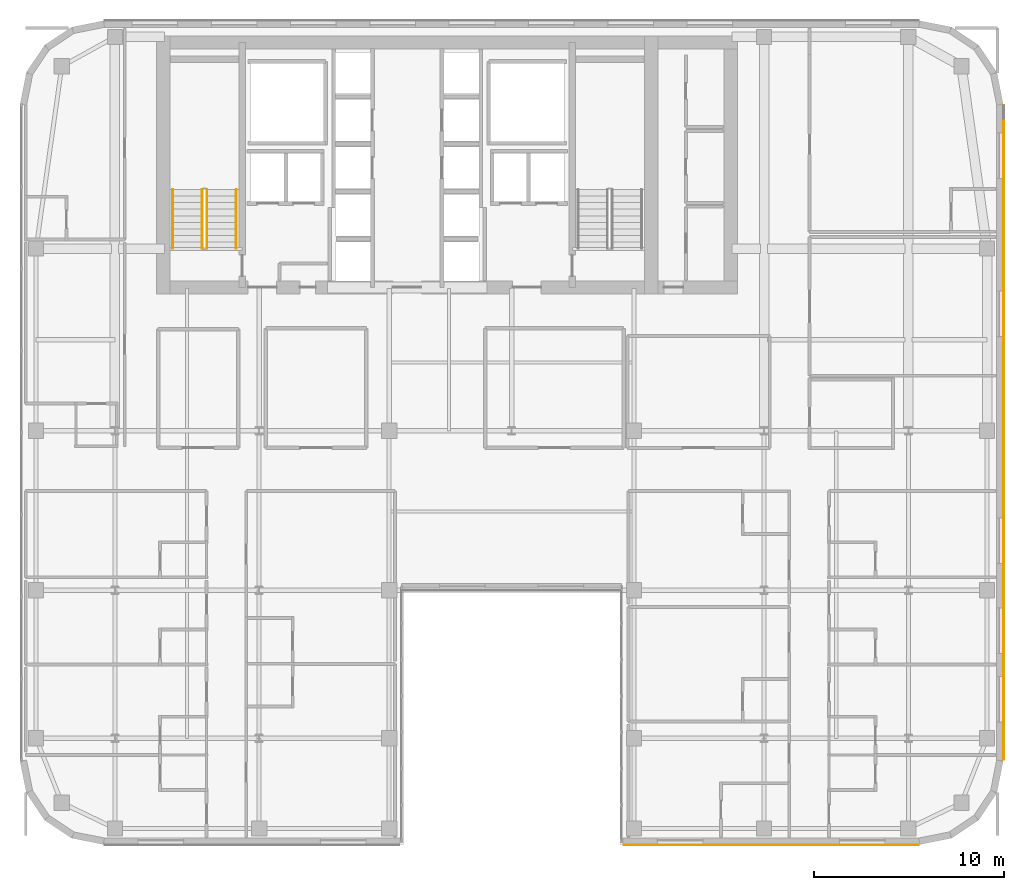
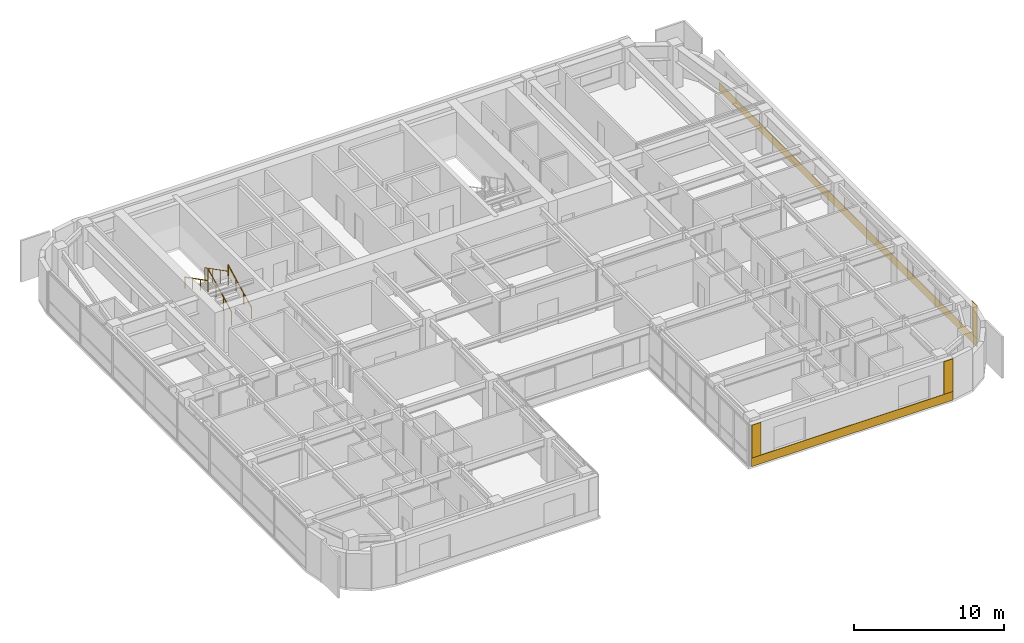
# One storey, part 26 of 28: 5 coverings, 4 railings.
"""IFC4 building model written with IfcOpenShell, lengths in metres."""

import ifcopenshell
import ifcopenshell.guid

model = None  # the IFC model being written
_history = None  # IfcOwnerHistory: only IFC2X3 demands one
_inside = {}  # id of a spatial element -> (the spatial element, [elements in it])
_under = {}  # id of a project, library or spatial element -> (it, [spatial elements below it])
_declared = {}  # id of a project -> (the project, [libraries it declares])
_typed = {}  # id of a type object -> (the type object, [elements of that type])
_made_of = {}  # id of a material, layer set ... -> (it, [elements and type objects made of it])


def new_model(schema):
    """Start an empty IFC model of exactly this schema.

    Asked for "IFC4X3", IfcOpenShell would pick the latest addendum, in which some entities
    have other attributes; the version numbers below select the first issue.
    IFC2X3 requires an IfcOwnerHistory on every rooted entity: one is made here for all.
    """
    global model, _history
    if schema == "IFC4X3":
        model = ifcopenshell.file(schema_version=(4, 3, 0, 0))
    else:
        model = ifcopenshell.file(schema=schema)
    _inside.clear()
    _under.clear()
    _declared.clear()
    _typed.clear()
    _made_of.clear()
    _history = None
    if model.schema == "IFC2X3":
        org = make("IfcOrganization", Name="unknown")
        user = make(
            "IfcPersonAndOrganization",
            ThePerson=make("IfcPerson", FamilyName="unknown"),
            TheOrganization=org,
        )
        app = make(
            "IfcApplication",
            ApplicationDeveloper=org,
            Version="unknown",
            ApplicationFullName="unknown",
            ApplicationIdentifier="unknown",
        )
        _history = make(
            "IfcOwnerHistory",
            OwningUser=user,
            OwningApplication=app,
            ChangeAction="ADDED",
            CreationDate=0,
        )
    return model


def make(cls, **values):
    """One entity of the class cls with the attributes given. An attribute that is None is left unset."""
    return model.create_entity(
        cls, **{name: value for name, value in values.items() if value is not None}
    )


def rooted(cls, **values):
    """An entity with a GlobalId (a new one), such as an element, a storey or a relation."""
    return make(cls, GlobalId=ifcopenshell.guid.new(), OwnerHistory=_history, **values)


def si_unit(unit_type, name, prefix=None):
    """IfcSIUnit, for example si_unit("LENGTHUNIT", "METRE", prefix="MILLI")."""
    return make("IfcSIUnit", UnitType=unit_type, Prefix=prefix, Name=name)


def assignment(units):
    """IfcUnitAssignment: the units of a project."""
    return None if units is None else make("IfcUnitAssignment", Units=units)


def point(xyz):
    """IfcCartesianPoint."""
    return None if xyz is None else make("IfcCartesianPoint", Coordinates=xyz)


def direction(xyz):
    """IfcDirection."""
    return None if xyz is None else make("IfcDirection", DirectionRatios=xyz)


def frame(location, z_axis=None, x_axis=None):
    """IfcAxis2Placement3D, a coordinate frame: its origin and axes. An axis left out is left unset."""
    return make(
        "IfcAxis2Placement3D",
        Location=point(location),
        Axis=direction(z_axis),
        RefDirection=direction(x_axis),
    )


def frame_2d(location, x_axis=None):
    """IfcAxis2Placement2D, a coordinate frame in the plane: its origin and x axis."""
    return make(
        "IfcAxis2Placement2D", Location=point(location), RefDirection=direction(x_axis)
    )


def origin():
    """The frame at (0, 0, 0) with its axes left unset."""
    return frame((0.0, 0.0, 0.0))


def origin_2d():
    """The frame at (0, 0) in the plane with its x axis left unset."""
    return frame_2d((0.0, 0.0))


def place(relative_to, where):
    """IfcLocalPlacement: puts the frame where relative to a parent placement (None: the world)."""
    return make(
        "IfcLocalPlacement", PlacementRelTo=relative_to, RelativePlacement=where
    )


def context(
    kind, dimensions, precision=None, world=None, true_north=None, identifier=None
):
    """IfcGeometricRepresentationContext, for example the 3D "Model" context."""
    return make(
        "IfcGeometricRepresentationContext",
        ContextIdentifier=identifier,
        ContextType=kind,
        CoordinateSpaceDimension=dimensions,
        Precision=precision,
        WorldCoordinateSystem=world,
        TrueNorth=true_north,
    )


def subcontext(parent, identifier, kind, view, scale=None):
    """IfcGeometricRepresentationSubContext, for example "Body" below "Model"."""
    return make(
        "IfcGeometricRepresentationSubContext",
        ContextIdentifier=identifier,
        ContextType=kind,
        ParentContext=parent,
        TargetScale=scale,
        TargetView=view,
    )


def project(units=None, contexts=None):
    """IfcProject with its units and contexts."""
    return rooted(
        "IfcProject",
        Name="project",
        RepresentationContexts=contexts,
        UnitsInContext=assignment(units),
    )


def spatial(cls, under=None, at=None, **own):
    """A site, building, storey or space (cls), placed at a placement, below another one or the project."""
    s = rooted(cls, ObjectPlacement=at, **own)
    if under is not None:
        _under.setdefault(under.id(), (under, []))[1].append(s)
    return s


def polyline(points):
    """IfcPolyline through the points."""
    return make("IfcPolyline", Points=[point(p) for p in points])


def profile(cls, at=None, kind="AREA", **sizes):
    """A parametric profile (cls). Its sizes go by their IFC names, for example OverallWidth=200.0."""
    return make(cls, ProfileType=kind, Position=at, **sizes)


def circle(**sizes):
    """IfcCircleProfileDef."""
    return profile("IfcCircleProfileDef", **sizes)


def outline(outer, holes=None, kind="AREA"):
    """IfcArbitraryClosedProfileDef: a profile drawn as a closed curve; with holes, ...WithVoids."""
    if holes is None:
        return make("IfcArbitraryClosedProfileDef", ProfileType=kind, OuterCurve=outer)
    return make(
        "IfcArbitraryProfileDefWithVoids",
        ProfileType=kind,
        OuterCurve=outer,
        InnerCurves=holes,
    )


def extrude(swept, where, along, depth):
    """IfcExtrudedAreaSolid: the profile swept, set in the frame where, extruded along a direction by depth."""
    return make(
        "IfcExtrudedAreaSolid",
        SweptArea=swept,
        Position=where,
        ExtrudedDirection=direction(along),
        Depth=depth,
    )


def shape(context_of_items, identifier, shape_type, items):
    """IfcShapeRepresentation: the items that make up one representation, for example the "Body"."""
    return make(
        "IfcShapeRepresentation",
        ContextOfItems=context_of_items,
        RepresentationIdentifier=identifier,
        RepresentationType=shape_type,
        Items=items,
    )


def material(Name=None, Category=None):
    """IfcMaterial."""
    return make("IfcMaterial", Name=Name, Category=Category)


def layer(
    of_material, thickness, ventilated=None, Name=None, Category=None, Priority=None
):
    """IfcMaterialLayer: one layer of a wall or slab, of a material (None: an air gap)."""
    return make(
        "IfcMaterialLayer",
        Material=of_material,
        LayerThickness=thickness,
        IsVentilated=ventilated,
        Name=Name,
        Category=Category,
        Priority=Priority,
    )


def layer_set(layers, Name=None):
    """IfcMaterialLayerSet."""
    return make("IfcMaterialLayerSet", MaterialLayers=layers, LayerSetName=Name)


def made_of(thing, what):
    """Note that an element or type object is made of a material, layer set ...; save() writes the relation."""
    if what is not None:
        _made_of.setdefault(what.id(), (what, []))[1].append(thing)
    return thing


def type_object(cls, material=None, **own):
    """A type object (cls), such as IfcWallType, which elements share."""
    return made_of(rooted(cls, **own), material)


def element(
    cls,
    number,
    at=None,
    inside=None,
    cuts=None,
    type_object=None,
    material=None,
    context=None,
    identifier="Body",
    shape_type=None,
    held_by="IfcProductDefinitionShape",
    body=None,
    shapes=None,
    **own,
):
    """One element of the class cls, such as IfcWall. Its Tag is "e" and its number.

    at: its placement. inside: the storey or other place that contains it. cuts: it is an
    opening in that element (IfcRelVoidsElement). A single representation is given by context,
    identifier, shape_type and body (its items); several are given by shapes. held_by: the class
    of the entity that holds the representations. save() writes the other relations.
    """
    e = rooted(cls, Tag="e%d" % number, ObjectPlacement=at, **own)
    if body is not None:
        shapes = [shape(context, identifier, shape_type, body)]
    if shapes is not None:
        e.Representation = make(held_by, Representations=shapes)
    if inside is not None:
        _inside.setdefault(inside.id(), (inside, []))[1].append(e)
    if cuts is not None:
        rooted(
            "IfcRelVoidsElement", RelatingBuildingElement=cuts, RelatedOpeningElement=e
        )
    if type_object is not None:
        _typed.setdefault(type_object.id(), (type_object, []))[1].append(e)
    return made_of(e, material)


def aggregate(whole, parts):
    """IfcRelAggregates: a whole, such as a stair, and the parts it consists of."""
    return rooted("IfcRelAggregates", RelatingObject=whole, RelatedObjects=parts)


def save(model, path):
    """Write the relations noted so far, then the file.

    IfcRelAggregates (storeys below a building ...), IfcRelContainedInSpatialStructure (elements
    in a storey), IfcRelDefinesByType, IfcRelAssociatesMaterial and IfcRelDeclares: one each for
    every whole, place, type object, material and project.
    """
    for whole, parts in _under.values():
        aggregate(whole, parts)
    for where, things in _inside.values():
        rooted(
            "IfcRelContainedInSpatialStructure",
            RelatedElements=things,
            RelatingStructure=where,
        )
    for kind, things in _typed.values():
        rooted("IfcRelDefinesByType", RelatedObjects=things, RelatingType=kind)
    for what, things in _made_of.values():
        rooted("IfcRelAssociatesMaterial", RelatedObjects=things, RelatingMaterial=what)
    for by, libraries in _declared.values():
        rooted("IfcRelDeclares", RelatingContext=by, RelatedDefinitions=libraries)
    model.write(path)


model = new_model("IFC4")

# Units and contexts
model_context = context("Model", 3, precision=1e-05, world=origin(), true_north=direction((0.0, 1.0)))
body_context = subcontext(model_context, "Body", "Model", "MODEL_VIEW")
ifc_project = project(units=[si_unit("LENGTHUNIT", "METRE"), si_unit("AREAUNIT", "SQUARE_METRE"), si_unit("VOLUMEUNIT", "CUBIC_METRE"), si_unit("PLANEANGLEUNIT", "RADIAN"), si_unit("MASSUNIT", "GRAM", prefix="KILO")], contexts=[model_context])

# Site, building, storey
site_placement = place(None, origin())
site = spatial("IfcSite", under=ifc_project, at=site_placement, CompositionType="ELEMENT")
building_placement = place(site_placement, origin())
building = spatial("IfcBuilding", under=site, at=building_placement, Name="Tolvann Quenvar Hotel", CompositionType="ELEMENT")
storey_placement = place(building_placement, frame((0.0, 0.0, 154.14990234375)))
storey = spatial("IfcBuildingStorey", under=building, at=storey_placement, Name="L40", CompositionType="ELEMENT", Elevation=154.14990234375)

# Coverings
ifc_material_1 = material(Name="Kiln-fired red architectural face brick cladding", Category="masonry")
ifc_layer_1 = layer(ifc_material_1, 0.0400390625)
ifc_layer_set_1 = layer_set([ifc_layer_1], Name="Kiln-fired red architectural face brick cladding")
covering_type_1 = type_object("IfcCoveringType", Name="COV_CLAD_BRICK_40", PredefinedType="CLADDING", material=ifc_layer_set_1)
covering_1_placement = place(storey_placement, frame((0.0, 0.0, 0.7001953125)))
element("IfcCovering", 1, at=covering_1_placement, inside=storey, type_object=covering_type_1, Name="Brick Pier Cladding (L40-E08-P1)", PredefinedType="CLADDING", context=body_context, shape_type="SweptSolid", body=[
    extrude(outline(polyline([(34.425048828125, 2.60009765625), (35.125, 2.60009765625), (35.125, 2.56005859375), (34.425048828125, 2.56005859375), (34.425048828125, 2.60009765625)])), origin(), (0.0, 0.0, 1.0), 2.669921875),
])
covering_2_placement = place(storey_placement, frame((0.0, 0.0, 0.7001953125)))
element("IfcCovering", 2, at=covering_2_placement, inside=storey, type_object=covering_type_1, Name="Brick Pier Cladding (L40-E08-P2)", PredefinedType="CLADDING", context=body_context, shape_type="SweptSolid", body=[
    extrude(outline(polyline([(49.23291015625, 2.60009765625), (49.932861328125, 2.60009765625), (49.932861328125, 2.56005859375), (49.23291015625, 2.56005859375), (49.23291015625, 2.60009765625)])), origin(), (0.0, 0.0, 1.0), 2.669921875),
])
covering_3_placement = place(storey_placement, frame((0.0, 0.0, 0.7001953125)))
element("IfcCovering", 3, at=covering_3_placement, inside=storey, type_object=covering_type_1, Name="Brick Pier Cladding (L40-E13-P1)", PredefinedType="CLADDING", context=body_context, shape_type="SweptSolid", body=[
    extrude(outline(polyline([(54.39990234375, 7.067138671875), (54.39990234375, 7.76708984375), (54.43994140625, 7.76708984375), (54.43994140625, 7.067138671875), (54.39990234375, 7.067138671875)])), origin(), (0.0, 0.0, 1.0), 2.669921875),
])
ifc_material_2 = material(Name="Moulded buff architectural terracotta spandrel cladding", Category="masonry")
ifc_layer_2 = layer(ifc_material_2, 0.0400390625)
ifc_layer_set_2 = layer_set([ifc_layer_2], Name="Moulded buff architectural terracotta spandrel cladding")
covering_type_2 = type_object("IfcCoveringType", Name="COV_CLAD_TERRA_40", PredefinedType="CLADDING", material=ifc_layer_set_2)
covering_4_placement = place(storey_placement, origin())
element("IfcCovering", 4, at=covering_4_placement, inside=storey, type_object=covering_type_2, Name="Terracotta Spandrel Cladding (L40-E08)", PredefinedType="CLADDING", context=body_context, shape_type="SweptSolid", body=[
    extrude(outline(polyline([(34.4150390625, 2.60009765625), (49.94287109375, 2.60009765625), (49.94287109375, 2.56005859375), (34.4150390625, 2.56005859375), (34.4150390625, 2.60009765625)])), origin(), (0.0, 0.0, 1.0), 0.7001953125),
])
covering_5_placement = place(storey_placement, origin())
element("IfcCovering", 5, at=covering_5_placement, inside=storey, type_object=covering_type_2, Name="Terracotta Spandrel Cladding (L40-E13)", PredefinedType="CLADDING", context=body_context, shape_type="SweptSolid", body=[
    extrude(outline(polyline([(54.39990234375, 7.05712890625), (54.39990234375, 41.542724609375), (54.43994140625, 41.542724609375), (54.43994140625, 7.05712890625), (54.39990234375, 7.05712890625)])), origin(), (0.0, 0.0, 1.0), 0.7001953125),
])

# Railings
ifc_material_3 = material(Name="Brushed 316 stainless steel balustrade and handrail", Category="steel")
railing_type_1 = type_object("IfcRailingType", Name="GUARDRAIL", PredefinedType="GUARDRAIL", material=ifc_material_3)
railing_1_placement = place(storey_placement, frame((12.449951171875, 34.0, 0.177490234375)))
element("IfcRailing", 6, at=railing_1_placement, inside=storey, type_object=railing_type_1, Name="L40 ST-C1 stair guard 1", PredefinedType="GUARDRAIL", context=body_context, shape_type="SweptSolid", body=[
    extrude(circle(Radius=0.02392578125, at=origin_2d()), frame((0.0, 0.0, 1.09619140625), z_axis=(0.0, 0.88919353882, 0.457531256332), x_axis=(-1.0, 0.0, 0.0)), (0.0, 0.0, 1.0), 3.491943359375),
    extrude(circle(Radius=0.02099609375, at=origin_2d()), origin(), (0.0, 0.0, 1.0), 1.072021484375),
    extrude(circle(Radius=0.02099609375, at=origin_2d()), frame((0.0, 1.034912109375, 0.532470703125)), (0.0, 0.0, 1.0), 1.072021484375),
    extrude(circle(Radius=0.02099609375, at=origin_2d()), frame((0.0, 2.070068359375, 1.065185546875)), (0.0, 0.0, 1.0), 1.072021484375),
    extrude(circle(Radius=0.02099609375, at=origin_2d()), frame((0.0, 3.10498046875, 1.59765625)), (0.0, 0.0, 1.0), 1.072021484375),
])
railing_2_placement = place(storey_placement, frame((12.199951171875, 37.10498046875, 1.95263671875)))
element("IfcRailing", 7, at=railing_2_placement, inside=storey, type_object=railing_type_1, Name="L40 ST-C1 stair guard 3", PredefinedType="GUARDRAIL", context=body_context, shape_type="SweptSolid", body=[
    extrude(circle(Radius=0.02392578125, at=origin_2d()), frame((0.0, 0.0, 1.09619140625), z_axis=(0.0, -0.889221982265, 0.45747597342), x_axis=(1.0, 0.0, 0.0)), (0.0, 0.0, 1.0), 3.49169921875),
    extrude(circle(Radius=0.02099609375, at=origin_2d()), origin(), (0.0, 0.0, 1.0), 1.072021484375),
    extrude(circle(Radius=0.02099609375, at=origin_2d()), frame((0.0, -1.034912109375, 0.532470703125)), (0.0, 0.0, 1.0), 1.072021484375),
    extrude(circle(Radius=0.02099609375, at=origin_2d()), frame((0.0, -2.070068359375, 1.06494140625)), (0.0, 0.0, 1.0), 1.072021484375),
    extrude(circle(Radius=0.02099609375, at=origin_2d()), frame((0.0, -3.10498046875, 1.597412109375)), (0.0, 0.0, 1.0), 1.072021484375),
])
railing_type_2 = type_object("IfcRailingType", Name="HANDRAIL", PredefinedType="HANDRAIL", material=ifc_material_3)
railing_3_placement = place(storey_placement, frame((14.0, 34.0, 0.177490234375)))
element("IfcRailing", 8, at=railing_3_placement, inside=storey, type_object=railing_type_2, Name="L40 ST-C1 stair handrail 1", PredefinedType="HANDRAIL", context=body_context, shape_type="SweptSolid", body=[
    extrude(circle(Radius=0.02392578125, at=origin_2d()), frame((0.0, 0.0, 0.8759765625), z_axis=(0.0, 0.88919353882, 0.457531256332), x_axis=(-1.0, 0.0, 0.0)), (0.0, 0.0, 1.0), 3.491943359375),
    extrude(circle(Radius=0.02099609375, at=origin_2d()), origin(), (0.0, 0.0, 1.0), 0.851806640625),
    extrude(circle(Radius=0.02099609375, at=origin_2d()), frame((0.0, 1.034912109375, 0.532470703125)), (0.0, 0.0, 1.0), 0.851806640625),
    extrude(circle(Radius=0.02099609375, at=origin_2d()), frame((0.0, 2.070068359375, 1.065185546875)), (0.0, 0.0, 1.0), 0.851806640625),
    extrude(circle(Radius=0.02099609375, at=origin_2d()), frame((0.0, 3.10498046875, 1.59765625)), (0.0, 0.0, 1.0), 0.851806640625),
])
railing_4_placement = place(storey_placement, frame((10.64990234375, 37.10498046875, 1.95263671875)))
element("IfcRailing", 9, at=railing_4_placement, inside=storey, type_object=railing_type_2, Name="L40 ST-C1 stair handrail 2", PredefinedType="HANDRAIL", context=body_context, shape_type="SweptSolid", body=[
    extrude(circle(Radius=0.02392578125, at=origin_2d()), frame((0.0, 0.0, 0.8759765625), z_axis=(0.0, -0.889221982265, 0.45747597342), x_axis=(1.0, 0.0, 0.0)), (0.0, 0.0, 1.0), 3.49169921875),
    extrude(circle(Radius=0.02099609375, at=origin_2d()), origin(), (0.0, 0.0, 1.0), 0.851806640625),
    extrude(circle(Radius=0.02099609375, at=origin_2d()), frame((0.0, -1.034912109375, 0.532470703125)), (0.0, 0.0, 1.0), 0.851806640625),
    extrude(circle(Radius=0.02099609375, at=origin_2d()), frame((0.0, -2.070068359375, 1.06494140625)), (0.0, 0.0, 1.0), 0.851806640625),
    extrude(circle(Radius=0.02099609375, at=origin_2d()), frame((0.0, -3.10498046875, 1.597412109375)), (0.0, 0.0, 1.0), 0.851806640625),
])

save(model, "model.ifc")
